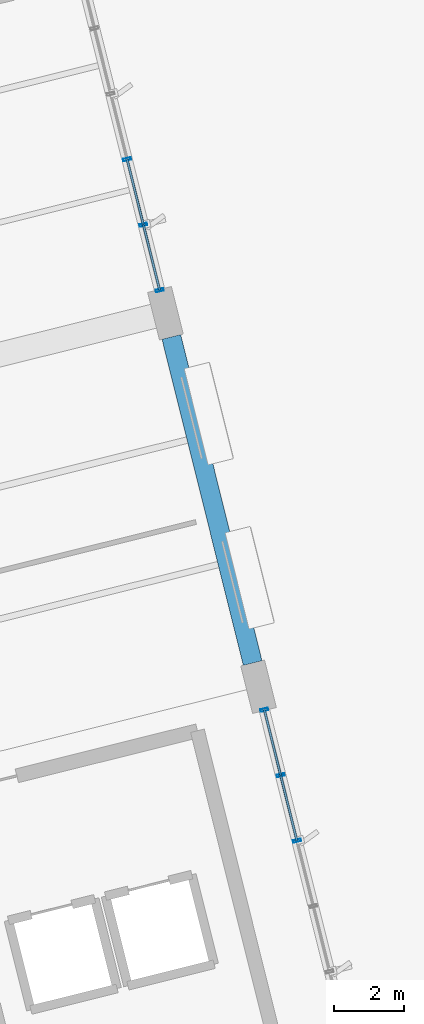
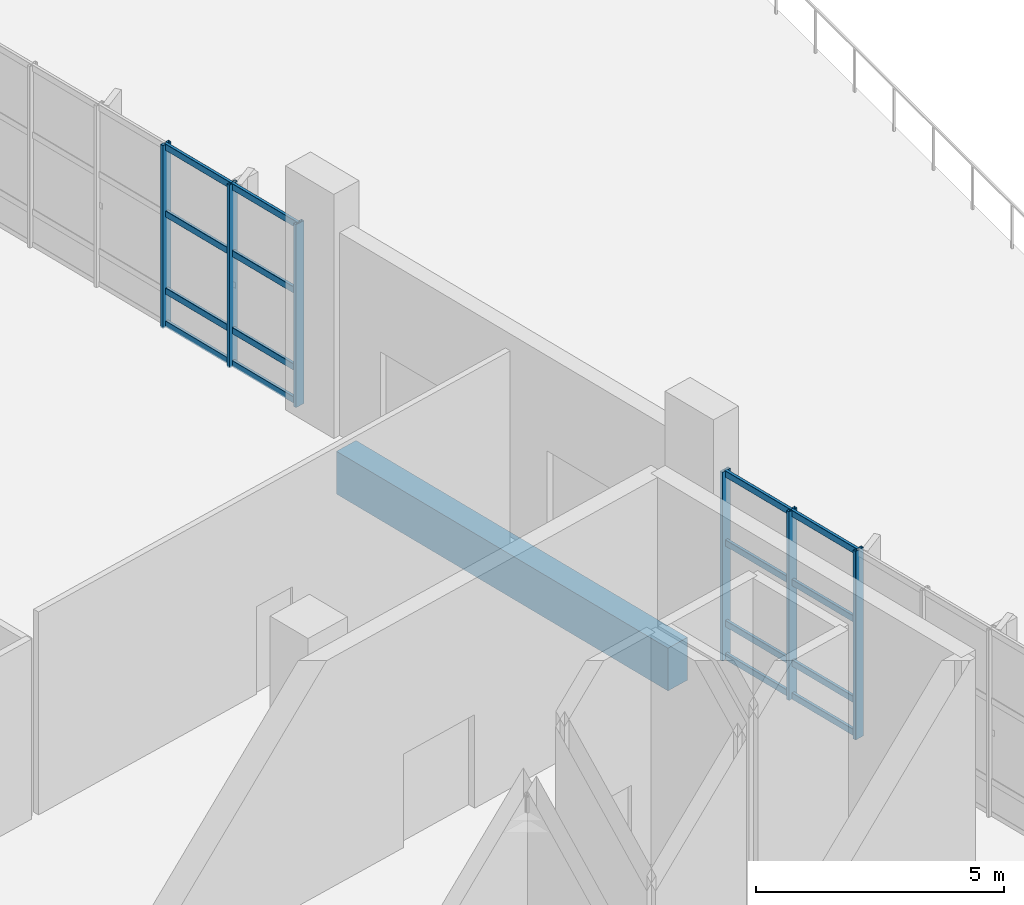
# One storey, part 103 of 163: 22 members, 1 beam, 2 elements without a shape of their own.
"""IFC4 building model written with IfcOpenShell, lengths in metres."""

import ifcopenshell
import ifcopenshell.guid

model = None  # the IFC model being written
_history = None  # IfcOwnerHistory: only IFC2X3 demands one
_inside = {}  # id of a spatial element -> (the spatial element, [elements in it])
_under = {}  # id of a project, library or spatial element -> (it, [spatial elements below it])
_declared = {}  # id of a project -> (the project, [libraries it declares])
_typed = {}  # id of a type object -> (the type object, [elements of that type])
_made_of = {}  # id of a material, layer set ... -> (it, [elements and type objects made of it])


def new_model(schema):
    """Start an empty IFC model of exactly this schema.

    Asked for "IFC4X3", IfcOpenShell would pick the latest addendum, in which some entities
    have other attributes; the version numbers below select the first issue.
    IFC2X3 requires an IfcOwnerHistory on every rooted entity: one is made here for all.
    """
    global model, _history
    if schema == "IFC4X3":
        model = ifcopenshell.file(schema_version=(4, 3, 0, 0))
    else:
        model = ifcopenshell.file(schema=schema)
    _inside.clear()
    _under.clear()
    _declared.clear()
    _typed.clear()
    _made_of.clear()
    _history = None
    if model.schema == "IFC2X3":
        org = make("IfcOrganization", Name="unknown")
        user = make(
            "IfcPersonAndOrganization",
            ThePerson=make("IfcPerson", FamilyName="unknown"),
            TheOrganization=org,
        )
        app = make(
            "IfcApplication",
            ApplicationDeveloper=org,
            Version="unknown",
            ApplicationFullName="unknown",
            ApplicationIdentifier="unknown",
        )
        _history = make(
            "IfcOwnerHistory",
            OwningUser=user,
            OwningApplication=app,
            ChangeAction="ADDED",
            CreationDate=0,
        )
    return model


def make(cls, **values):
    """One entity of the class cls with the attributes given. An attribute that is None is left unset."""
    return model.create_entity(
        cls, **{name: value for name, value in values.items() if value is not None}
    )


def rooted(cls, **values):
    """An entity with a GlobalId (a new one), such as an element, a storey or a relation."""
    return make(cls, GlobalId=ifcopenshell.guid.new(), OwnerHistory=_history, **values)


def si_unit(unit_type, name, prefix=None):
    """IfcSIUnit, for example si_unit("LENGTHUNIT", "METRE", prefix="MILLI")."""
    return make("IfcSIUnit", UnitType=unit_type, Prefix=prefix, Name=name)


def assignment(units):
    """IfcUnitAssignment: the units of a project."""
    return None if units is None else make("IfcUnitAssignment", Units=units)


def point(xyz):
    """IfcCartesianPoint."""
    return None if xyz is None else make("IfcCartesianPoint", Coordinates=xyz)


def direction(xyz):
    """IfcDirection."""
    return None if xyz is None else make("IfcDirection", DirectionRatios=xyz)


def frame(location, z_axis=None, x_axis=None):
    """IfcAxis2Placement3D, a coordinate frame: its origin and axes. An axis left out is left unset."""
    return make(
        "IfcAxis2Placement3D",
        Location=point(location),
        Axis=direction(z_axis),
        RefDirection=direction(x_axis),
    )


def frame_2d(location, x_axis=None):
    """IfcAxis2Placement2D, a coordinate frame in the plane: its origin and x axis."""
    return make(
        "IfcAxis2Placement2D", Location=point(location), RefDirection=direction(x_axis)
    )


def origin():
    """The frame at (0, 0, 0) with its axes left unset."""
    return frame((0.0, 0.0, 0.0))


def origin_2d():
    """The frame at (0, 0) in the plane with its x axis left unset."""
    return frame_2d((0.0, 0.0))


def place(relative_to, where):
    """IfcLocalPlacement: puts the frame where relative to a parent placement (None: the world)."""
    return make(
        "IfcLocalPlacement", PlacementRelTo=relative_to, RelativePlacement=where
    )


def context(
    kind, dimensions, precision=None, world=None, true_north=None, identifier=None
):
    """IfcGeometricRepresentationContext, for example the 3D "Model" context."""
    return make(
        "IfcGeometricRepresentationContext",
        ContextIdentifier=identifier,
        ContextType=kind,
        CoordinateSpaceDimension=dimensions,
        Precision=precision,
        WorldCoordinateSystem=world,
        TrueNorth=true_north,
    )


def subcontext(parent, identifier, kind, view, scale=None):
    """IfcGeometricRepresentationSubContext, for example "Body" below "Model"."""
    return make(
        "IfcGeometricRepresentationSubContext",
        ContextIdentifier=identifier,
        ContextType=kind,
        ParentContext=parent,
        TargetScale=scale,
        TargetView=view,
    )


def project(units=None, contexts=None):
    """IfcProject with its units and contexts."""
    return rooted(
        "IfcProject",
        Name="project",
        RepresentationContexts=contexts,
        UnitsInContext=assignment(units),
    )


def spatial(cls, under=None, at=None, **own):
    """A site, building, storey or space (cls), placed at a placement, below another one or the project."""
    s = rooted(cls, ObjectPlacement=at, **own)
    if under is not None:
        _under.setdefault(under.id(), (under, []))[1].append(s)
    return s


def profile(cls, at=None, kind="AREA", **sizes):
    """A parametric profile (cls). Its sizes go by their IFC names, for example OverallWidth=200.0."""
    return make(cls, ProfileType=kind, Position=at, **sizes)


def rectangle(**sizes):
    """IfcRectangleProfileDef."""
    return profile("IfcRectangleProfileDef", **sizes)


def hollow_rectangle(**sizes):
    """IfcRectangleHollowProfileDef."""
    return profile("IfcRectangleHollowProfileDef", **sizes)


def extrude(swept, where, along, depth):
    """IfcExtrudedAreaSolid: the profile swept, set in the frame where, extruded along a direction by depth."""
    return make(
        "IfcExtrudedAreaSolid",
        SweptArea=swept,
        Position=where,
        ExtrudedDirection=direction(along),
        Depth=depth,
    )


def shape(context_of_items, identifier, shape_type, items):
    """IfcShapeRepresentation: the items that make up one representation, for example the "Body"."""
    return make(
        "IfcShapeRepresentation",
        ContextOfItems=context_of_items,
        RepresentationIdentifier=identifier,
        RepresentationType=shape_type,
        Items=items,
    )


def material(Name=None, Category=None):
    """IfcMaterial."""
    return make("IfcMaterial", Name=Name, Category=Category)


def layer(
    of_material, thickness, ventilated=None, Name=None, Category=None, Priority=None
):
    """IfcMaterialLayer: one layer of a wall or slab, of a material (None: an air gap)."""
    return make(
        "IfcMaterialLayer",
        Material=of_material,
        LayerThickness=thickness,
        IsVentilated=ventilated,
        Name=Name,
        Category=Category,
        Priority=Priority,
    )


def layer_set(layers, Name=None):
    """IfcMaterialLayerSet."""
    return make("IfcMaterialLayerSet", MaterialLayers=layers, LayerSetName=Name)


def material_profile(
    of_material, cross_section, Name=None, Category=None, Priority=None
):
    """IfcMaterialProfile: a cross section and its material."""
    return make(
        "IfcMaterialProfile",
        Name=Name,
        Material=of_material,
        Profile=cross_section,
        Priority=Priority,
        Category=Category,
    )


def profile_set(profiles, Name=None, composite=None):
    """IfcMaterialProfileSet."""
    return make(
        "IfcMaterialProfileSet",
        Name=Name,
        MaterialProfiles=profiles,
        CompositeProfile=composite,
    )


def made_of(thing, what):
    """Note that an element or type object is made of a material, layer set ...; save() writes the relation."""
    if what is not None:
        _made_of.setdefault(what.id(), (what, []))[1].append(thing)
    return thing


def type_object(cls, material=None, **own):
    """A type object (cls), such as IfcWallType, which elements share."""
    return made_of(rooted(cls, **own), material)


def element(
    cls,
    number,
    at=None,
    inside=None,
    cuts=None,
    type_object=None,
    material=None,
    context=None,
    identifier="Body",
    shape_type=None,
    held_by="IfcProductDefinitionShape",
    body=None,
    shapes=None,
    **own,
):
    """One element of the class cls, such as IfcWall. Its Tag is "e" and its number.

    at: its placement. inside: the storey or other place that contains it. cuts: it is an
    opening in that element (IfcRelVoidsElement). A single representation is given by context,
    identifier, shape_type and body (its items); several are given by shapes. held_by: the class
    of the entity that holds the representations. save() writes the other relations.
    """
    e = rooted(cls, Tag="e%d" % number, ObjectPlacement=at, **own)
    if body is not None:
        shapes = [shape(context, identifier, shape_type, body)]
    if shapes is not None:
        e.Representation = make(held_by, Representations=shapes)
    if inside is not None:
        _inside.setdefault(inside.id(), (inside, []))[1].append(e)
    if cuts is not None:
        rooted(
            "IfcRelVoidsElement", RelatingBuildingElement=cuts, RelatedOpeningElement=e
        )
    if type_object is not None:
        _typed.setdefault(type_object.id(), (type_object, []))[1].append(e)
    return made_of(e, material)


def aggregate(whole, parts):
    """IfcRelAggregates: a whole, such as a stair, and the parts it consists of."""
    return rooted("IfcRelAggregates", RelatingObject=whole, RelatedObjects=parts)


def save(model, path):
    """Write the relations noted so far, then the file.

    IfcRelAggregates (storeys below a building ...), IfcRelContainedInSpatialStructure (elements
    in a storey), IfcRelDefinesByType, IfcRelAssociatesMaterial and IfcRelDeclares: one each for
    every whole, place, type object, material and project.
    """
    for whole, parts in _under.values():
        aggregate(whole, parts)
    for where, things in _inside.values():
        rooted(
            "IfcRelContainedInSpatialStructure",
            RelatedElements=things,
            RelatingStructure=where,
        )
    for kind, things in _typed.values():
        rooted("IfcRelDefinesByType", RelatedObjects=things, RelatingType=kind)
    for what, things in _made_of.values():
        rooted("IfcRelAssociatesMaterial", RelatedObjects=things, RelatingMaterial=what)
    for by, libraries in _declared.values():
        rooted("IfcRelDeclares", RelatingContext=by, RelatedDefinitions=libraries)
    model.write(path)


model = new_model("IFC4")

# Units and contexts
model_context = context("Model", 3, precision=1e-05, world=origin(), true_north=direction((0.0, 1.0)))
body_context = subcontext(model_context, "Body", "Model", "MODEL_VIEW")
ifc_project = project(units=[si_unit("LENGTHUNIT", "METRE"), si_unit("AREAUNIT", "SQUARE_METRE"), si_unit("VOLUMEUNIT", "CUBIC_METRE"), si_unit("PLANEANGLEUNIT", "RADIAN"), si_unit("MASSUNIT", "GRAM", prefix="KILO")], contexts=[model_context])

# Site, building, storey
site_placement = place(None, origin())
site = spatial("IfcSite", under=ifc_project, at=site_placement, CompositionType="ELEMENT")
building_placement = place(site_placement, origin())
building = spatial("IfcBuilding", under=site, at=building_placement, Name="Khorjan Park Terminus", CompositionType="ELEMENT")
storey_placement = place(building_placement, origin())
storey = spatial("IfcBuildingStorey", under=building, at=storey_placement, Name="L00", CompositionType="ELEMENT", Elevation=0.0)

# Beam
ifc_material_1 = material(Name="Concrete C40/50", Category="concrete")
ifc_material_profile_1 = material_profile(ifc_material_1, rectangle(XDim=0.55, YDim=1.05, at=origin_2d()), Name="RC 550x1050")
ifc_profile_set_1 = profile_set([ifc_material_profile_1], Name="Concrete C40/50")
beam_type = type_object("IfcBeamType", Name="BM-RC550x1050", PredefinedType="BEAM", material=ifc_profile_set_1)
beam_placement = place(storey_placement, frame((221.888, 50.661, -0.875), z_axis=(-0.241925915978, 0.970294723874, 0.0), x_axis=(-0.970294723874, -0.241925915978, 0.0)))
element("IfcBeam", 1, at=beam_placement, inside=storey, type_object=beam_type, Name="Primary skew-grid floor girder GB-105 (L00)", PredefinedType="BEAM", context=body_context, shape_type="SweptSolid", body=[
    extrude(rectangle(XDim=0.55, YDim=1.05, at=origin_2d()), origin(), (0.0, 0.0, 1.0), 9.61),
])

# Curtain wall, members
ifc_material_2 = material(Name="Anodized Bronze Aluminium", Category="aluminium")
ifc_layer = layer(ifc_material_2, 0.22)
ifc_layer_set = layer_set([ifc_layer], Name="Anodized Bronze Aluminium")
curtain_wall_type = type_object("IfcCurtainWallType", Name="CW-OPS-B", PredefinedType="NOTDEFINED", material=ifc_layer_set)
curtain_wall_1_placement = place(storey_placement, origin())
curtain_wall_1 = element("IfcCurtainWall", 2, at=curtain_wall_1_placement, inside=storey, type_object=curtain_wall_type, Name="Unitized curtain wall CW-B (CW-V5-E-L00-B03)", PredefinedType="NOTDEFINED")
ifc_material_profile_2 = material_profile(ifc_material_2, hollow_rectangle(XDim=0.075, YDim=0.225, WallThickness=0.005, InnerFilletRadius=0.005, OuterFilletRadius=0.01, at=origin_2d()), Name="ALM 75x225x5")
ifc_profile_set_2 = profile_set([ifc_material_profile_2], Name="Anodized Bronze Aluminium")
member_type_1 = type_object("IfcMemberType", Name="ML-ALM-225", PredefinedType="MULLION", material=ifc_profile_set_2)
member_1_placement = place(storey_placement, frame((223.1534, 45.5855, -0.035), z_axis=(0.0, 0.0, 1.0), x_axis=(-0.241922975976, 0.970295456907, 0.0)))
member_1 = element("IfcMember", 3, at=member_1_placement, type_object=member_type_1, Name="Curtain-wall mullion ML-22 (CW-V5-E-L00-B03-3)", PredefinedType="MULLION", context=body_context, shape_type="SweptSolid", body=[
    extrude(hollow_rectangle(XDim=0.075, YDim=0.225, WallThickness=0.005, InnerFilletRadius=0.005, OuterFilletRadius=0.01, at=origin_2d()), origin(), (0.0, 0.0, 1.0), 4.635),
])
member_2_placement = place(storey_placement, frame((222.687, 47.4563, -0.035), z_axis=(0.0, 0.0, 1.0), x_axis=(-0.241922975976, 0.970295456907, 0.0)))
member_2 = element("IfcMember", 4, at=member_2_placement, type_object=member_type_1, Name="Curtain-wall mullion ML-22 (CW-V5-E-L00-B03-4)", PredefinedType="MULLION", context=body_context, shape_type="SweptSolid", body=[
    extrude(hollow_rectangle(XDim=0.075, YDim=0.225, WallThickness=0.005, InnerFilletRadius=0.005, OuterFilletRadius=0.01, at=origin_2d()), origin(), (0.0, 0.0, 1.0), 4.635),
])
member_3_placement = place(storey_placement, frame((222.2205, 49.3272, -0.035), z_axis=(0.0, 0.0, 1.0), x_axis=(-0.241922975976, 0.970295456907, 0.0)))
member_3 = element("IfcMember", 5, at=member_3_placement, type_object=member_type_1, Name="Curtain-wall mullion ML-22 (CW-V5-E-L00-B03-5)", PredefinedType="MULLION", context=body_context, shape_type="SweptSolid", body=[
    extrude(hollow_rectangle(XDim=0.075, YDim=0.225, WallThickness=0.005, InnerFilletRadius=0.005, OuterFilletRadius=0.01, at=origin_2d()), origin(), (0.0, 0.0, 1.0), 4.635),
])

curtain_wall_2_placement = place(storey_placement, origin())
curtain_wall_2 = element("IfcCurtainWall", 6, at=curtain_wall_2_placement, inside=storey, type_object=curtain_wall_type, Name="Unitized curtain wall CW-B (CW-V5-E-L00-B05)", PredefinedType="NOTDEFINED")
member_4_placement = place(storey_placement, frame((219.2305, 61.3198, -0.035), z_axis=(0.0, 0.0, 1.0), x_axis=(-0.241935125171, 0.970292427678, 0.0)))
member_4 = element("IfcMember", 7, at=member_4_placement, type_object=member_type_1, Name="Curtain-wall mullion ML-22 (CW-V5-E-L00-B05-0)", PredefinedType="MULLION", context=body_context, shape_type="SweptSolid", body=[
    extrude(hollow_rectangle(XDim=0.075, YDim=0.225, WallThickness=0.005, InnerFilletRadius=0.005, OuterFilletRadius=0.01, at=origin_2d()), origin(), (0.0, 0.0, 1.0), 4.495),
])
member_5_placement = place(storey_placement, frame((218.7641, 63.1905, -0.035), z_axis=(0.0, 0.0, 1.0), x_axis=(-0.241935125171, 0.970292427678, 0.0)))
member_5 = element("IfcMember", 8, at=member_5_placement, type_object=member_type_1, Name="Curtain-wall mullion ML-22 (CW-V5-E-L00-B05-1)", PredefinedType="MULLION", context=body_context, shape_type="SweptSolid", body=[
    extrude(hollow_rectangle(XDim=0.075, YDim=0.225, WallThickness=0.005, InnerFilletRadius=0.005, OuterFilletRadius=0.01, at=origin_2d()), origin(), (0.0, 0.0, 1.0), 4.495),
])
member_6_placement = place(storey_placement, frame((218.2976, 65.0612, -0.035), z_axis=(0.0, 0.0, 1.0), x_axis=(-0.241935125171, 0.970292427678, 0.0)))
member_6 = element("IfcMember", 9, at=member_6_placement, type_object=member_type_1, Name="Curtain-wall mullion ML-22 (CW-V5-E-L00-B05-2)", PredefinedType="MULLION", context=body_context, shape_type="SweptSolid", body=[
    extrude(hollow_rectangle(XDim=0.075, YDim=0.225, WallThickness=0.005, InnerFilletRadius=0.005, OuterFilletRadius=0.01, at=origin_2d()), origin(), (0.0, 0.0, 1.0), 4.495),
])

# Member
ifc_material_profile_3 = material_profile(ifc_material_2, hollow_rectangle(XDim=0.07, YDim=0.16, WallThickness=0.004, InnerFilletRadius=0.004, OuterFilletRadius=0.008, at=origin_2d()), Name="ALT 70x160x4")
ifc_profile_set_3 = profile_set([ifc_material_profile_3], Name="Anodized Bronze Aluminium")
member_type_2 = type_object("IfcMemberType", Name="TR-ALT-160", PredefinedType="USERDEFINED", material=ifc_profile_set_3)
member_7_placement = place(storey_placement, frame((223.1534, 45.5855, 0.04), z_axis=(-0.241900982739, 0.970300940198, 0.0), x_axis=(-0.970300940198, -0.241900982739, 0.0)))
member_7 = element("IfcMember", 10, at=member_7_placement, type_object=member_type_2, Name="Curtain-wall transom TR-16 (CW-V5-E-L00-B03-3-1)", ObjectType="TRANSOM", PredefinedType="USERDEFINED", context=body_context, shape_type="SweptSolid", body=[
    extrude(hollow_rectangle(XDim=0.07, YDim=0.16, WallThickness=0.004, InnerFilletRadius=0.004, OuterFilletRadius=0.008, at=origin_2d()), origin(), (0.0, 0.0, 1.0), 1.9281),
])

member_8_placement = place(storey_placement, frame((223.1534, 45.5855, 0.85), z_axis=(-0.241900982739, 0.970300940198, 0.0), x_axis=(-0.970300940198, -0.241900982739, 0.0)))
member_8 = element("IfcMember", 11, at=member_8_placement, type_object=member_type_2, Name="Curtain-wall transom TR-16 (CW-V5-E-L00-B03-3-2)", ObjectType="TRANSOM", PredefinedType="USERDEFINED", context=body_context, shape_type="SweptSolid", body=[
    extrude(hollow_rectangle(XDim=0.07, YDim=0.16, WallThickness=0.004, InnerFilletRadius=0.004, OuterFilletRadius=0.008, at=origin_2d()), origin(), (0.0, 0.0, 1.0), 1.9281),
])

member_9_placement = place(storey_placement, frame((223.1534, 45.5855, 2.8303), z_axis=(-0.241900982739, 0.970300940198, 0.0), x_axis=(-0.970300940198, -0.241900982739, 0.0)))
member_9 = element("IfcMember", 12, at=member_9_placement, type_object=member_type_2, Name="Curtain-wall transom TR-16 (CW-V5-E-L00-B03-3-3)", ObjectType="TRANSOM", PredefinedType="USERDEFINED", context=body_context, shape_type="SweptSolid", body=[
    extrude(hollow_rectangle(XDim=0.07, YDim=0.16, WallThickness=0.004, InnerFilletRadius=0.004, OuterFilletRadius=0.008, at=origin_2d()), origin(), (0.0, 0.0, 1.0), 1.9281),
])

member_10_placement = place(storey_placement, frame((223.1534, 45.5855, 4.525), z_axis=(-0.241900982739, 0.970300940198, 0.0), x_axis=(-0.970300940198, -0.241900982739, 0.0)))
member_10 = element("IfcMember", 13, at=member_10_placement, type_object=member_type_2, Name="Curtain-wall transom TR-16 (CW-V5-E-L00-B03-3-4)", ObjectType="TRANSOM", PredefinedType="USERDEFINED", context=body_context, shape_type="SweptSolid", body=[
    extrude(hollow_rectangle(XDim=0.07, YDim=0.16, WallThickness=0.004, InnerFilletRadius=0.004, OuterFilletRadius=0.008, at=origin_2d()), origin(), (0.0, 0.0, 1.0), 1.9281),
])

member_11_placement = place(storey_placement, frame((222.687, 47.4563, 0.04), z_axis=(-0.241937637138, 0.970291801334, 0.0), x_axis=(-0.970291801334, -0.241937637138, 0.0)))
member_11 = element("IfcMember", 14, at=member_11_placement, type_object=member_type_2, Name="Curtain-wall transom TR-16 (CW-V5-E-L00-B03-4-1)", ObjectType="TRANSOM", PredefinedType="USERDEFINED", context=body_context, shape_type="SweptSolid", body=[
    extrude(hollow_rectangle(XDim=0.07, YDim=0.16, WallThickness=0.004, InnerFilletRadius=0.004, OuterFilletRadius=0.008, at=origin_2d()), origin(), (0.0, 0.0, 1.0), 1.9282),
])

member_12_placement = place(storey_placement, frame((222.687, 47.4563, 0.85), z_axis=(-0.241937637138, 0.970291801334, 0.0), x_axis=(-0.970291801334, -0.241937637138, 0.0)))
member_12 = element("IfcMember", 15, at=member_12_placement, type_object=member_type_2, Name="Curtain-wall transom TR-16 (CW-V5-E-L00-B03-4-2)", ObjectType="TRANSOM", PredefinedType="USERDEFINED", context=body_context, shape_type="SweptSolid", body=[
    extrude(hollow_rectangle(XDim=0.07, YDim=0.16, WallThickness=0.004, InnerFilletRadius=0.004, OuterFilletRadius=0.008, at=origin_2d()), origin(), (0.0, 0.0, 1.0), 1.9282),
])

member_13_placement = place(storey_placement, frame((222.687, 47.4563, 2.8303), z_axis=(-0.241937637138, 0.970291801334, 0.0), x_axis=(-0.970291801334, -0.241937637138, 0.0)))
member_13 = element("IfcMember", 16, at=member_13_placement, type_object=member_type_2, Name="Curtain-wall transom TR-16 (CW-V5-E-L00-B03-4-3)", ObjectType="TRANSOM", PredefinedType="USERDEFINED", context=body_context, shape_type="SweptSolid", body=[
    extrude(hollow_rectangle(XDim=0.07, YDim=0.16, WallThickness=0.004, InnerFilletRadius=0.004, OuterFilletRadius=0.008, at=origin_2d()), origin(), (0.0, 0.0, 1.0), 1.9282),
])

member_14_placement = place(storey_placement, frame((222.687, 47.4563, 4.525), z_axis=(-0.241937637138, 0.970291801334, 0.0), x_axis=(-0.970291801334, -0.241937637138, 0.0)))
member_14 = element("IfcMember", 17, at=member_14_placement, type_object=member_type_2, Name="Curtain-wall transom TR-16 (CW-V5-E-L00-B03-4-4)", ObjectType="TRANSOM", PredefinedType="USERDEFINED", context=body_context, shape_type="SweptSolid", body=[
    extrude(hollow_rectangle(XDim=0.07, YDim=0.16, WallThickness=0.004, InnerFilletRadius=0.004, OuterFilletRadius=0.008, at=origin_2d()), origin(), (0.0, 0.0, 1.0), 1.9282),
])

aggregate(curtain_wall_1, [member_1, member_2, member_3, member_7, member_8, member_9, member_10, member_11, member_12, member_13, member_14])

member_15_placement = place(storey_placement, frame((219.2305, 61.3198, 0.04), z_axis=(-0.241913157049, 0.970297905, 0.0), x_axis=(-0.970297905, -0.241913157049, 0.0)))
member_15 = element("IfcMember", 18, at=member_15_placement, type_object=member_type_2, Name="Curtain-wall transom TR-16 (CW-V5-E-L00-B05-0-1)", ObjectType="TRANSOM", PredefinedType="USERDEFINED", context=body_context, shape_type="SweptSolid", body=[
    extrude(hollow_rectangle(XDim=0.07, YDim=0.16, WallThickness=0.004, InnerFilletRadius=0.004, OuterFilletRadius=0.008, at=origin_2d()), origin(), (0.0, 0.0, 1.0), 1.928),
])

member_16_placement = place(storey_placement, frame((219.2305, 61.3198, 0.85), z_axis=(-0.241913157049, 0.970297905, 0.0), x_axis=(-0.970297905, -0.241913157049, 0.0)))
member_16 = element("IfcMember", 19, at=member_16_placement, type_object=member_type_2, Name="Curtain-wall transom TR-16 (CW-V5-E-L00-B05-0-2)", ObjectType="TRANSOM", PredefinedType="USERDEFINED", context=body_context, shape_type="SweptSolid", body=[
    extrude(hollow_rectangle(XDim=0.07, YDim=0.16, WallThickness=0.004, InnerFilletRadius=0.004, OuterFilletRadius=0.008, at=origin_2d()), origin(), (0.0, 0.0, 1.0), 1.928),
])

member_17_placement = place(storey_placement, frame((219.2305, 61.3198, 2.7435), z_axis=(-0.241913157049, 0.970297905, 0.0), x_axis=(-0.970297905, -0.241913157049, 0.0)))
member_17 = element("IfcMember", 20, at=member_17_placement, type_object=member_type_2, Name="Curtain-wall transom TR-16 (CW-V5-E-L00-B05-0-3)", ObjectType="TRANSOM", PredefinedType="USERDEFINED", context=body_context, shape_type="SweptSolid", body=[
    extrude(hollow_rectangle(XDim=0.07, YDim=0.16, WallThickness=0.004, InnerFilletRadius=0.004, OuterFilletRadius=0.008, at=origin_2d()), origin(), (0.0, 0.0, 1.0), 1.928),
])

member_18_placement = place(storey_placement, frame((219.2305, 61.3198, 4.385), z_axis=(-0.241913157049, 0.970297905, 0.0), x_axis=(-0.970297905, -0.241913157049, 0.0)))
member_18 = element("IfcMember", 21, at=member_18_placement, type_object=member_type_2, Name="Curtain-wall transom TR-16 (CW-V5-E-L00-B05-0-4)", ObjectType="TRANSOM", PredefinedType="USERDEFINED", context=body_context, shape_type="SweptSolid", body=[
    extrude(hollow_rectangle(XDim=0.07, YDim=0.16, WallThickness=0.004, InnerFilletRadius=0.004, OuterFilletRadius=0.008, at=origin_2d()), origin(), (0.0, 0.0, 1.0), 1.928),
])

member_19_placement = place(storey_placement, frame((218.7641, 63.1905, 0.04), z_axis=(-0.241961988875, 0.97028572902, 0.0), x_axis=(-0.97028572902, -0.241961988875, 0.0)))
member_19 = element("IfcMember", 22, at=member_19_placement, type_object=member_type_2, Name="Curtain-wall transom TR-16 (CW-V5-E-L00-B05-1-1)", ObjectType="TRANSOM", PredefinedType="USERDEFINED", context=body_context, shape_type="SweptSolid", body=[
    extrude(hollow_rectangle(XDim=0.07, YDim=0.16, WallThickness=0.004, InnerFilletRadius=0.004, OuterFilletRadius=0.008, at=origin_2d()), origin(), (0.0, 0.0, 1.0), 1.928),
])

member_20_placement = place(storey_placement, frame((218.7641, 63.1905, 0.85), z_axis=(-0.241961988875, 0.97028572902, 0.0), x_axis=(-0.97028572902, -0.241961988875, 0.0)))
member_20 = element("IfcMember", 23, at=member_20_placement, type_object=member_type_2, Name="Curtain-wall transom TR-16 (CW-V5-E-L00-B05-1-2)", ObjectType="TRANSOM", PredefinedType="USERDEFINED", context=body_context, shape_type="SweptSolid", body=[
    extrude(hollow_rectangle(XDim=0.07, YDim=0.16, WallThickness=0.004, InnerFilletRadius=0.004, OuterFilletRadius=0.008, at=origin_2d()), origin(), (0.0, 0.0, 1.0), 1.928),
])

member_21_placement = place(storey_placement, frame((218.7641, 63.1905, 2.7435), z_axis=(-0.241961988875, 0.97028572902, 0.0), x_axis=(-0.97028572902, -0.241961988875, 0.0)))
member_21 = element("IfcMember", 24, at=member_21_placement, type_object=member_type_2, Name="Curtain-wall transom TR-16 (CW-V5-E-L00-B05-1-3)", ObjectType="TRANSOM", PredefinedType="USERDEFINED", context=body_context, shape_type="SweptSolid", body=[
    extrude(hollow_rectangle(XDim=0.07, YDim=0.16, WallThickness=0.004, InnerFilletRadius=0.004, OuterFilletRadius=0.008, at=origin_2d()), origin(), (0.0, 0.0, 1.0), 1.928),
])

member_22_placement = place(storey_placement, frame((218.7641, 63.1905, 4.385), z_axis=(-0.241961988875, 0.97028572902, 0.0), x_axis=(-0.97028572902, -0.241961988875, 0.0)))
member_22 = element("IfcMember", 25, at=member_22_placement, type_object=member_type_2, Name="Curtain-wall transom TR-16 (CW-V5-E-L00-B05-1-4)", ObjectType="TRANSOM", PredefinedType="USERDEFINED", context=body_context, shape_type="SweptSolid", body=[
    extrude(hollow_rectangle(XDim=0.07, YDim=0.16, WallThickness=0.004, InnerFilletRadius=0.004, OuterFilletRadius=0.008, at=origin_2d()), origin(), (0.0, 0.0, 1.0), 1.928),
])

aggregate(curtain_wall_2, [member_4, member_5, member_6, member_15, member_16, member_17, member_18, member_19, member_20, member_21, member_22])

save(model, "model.ifc")
